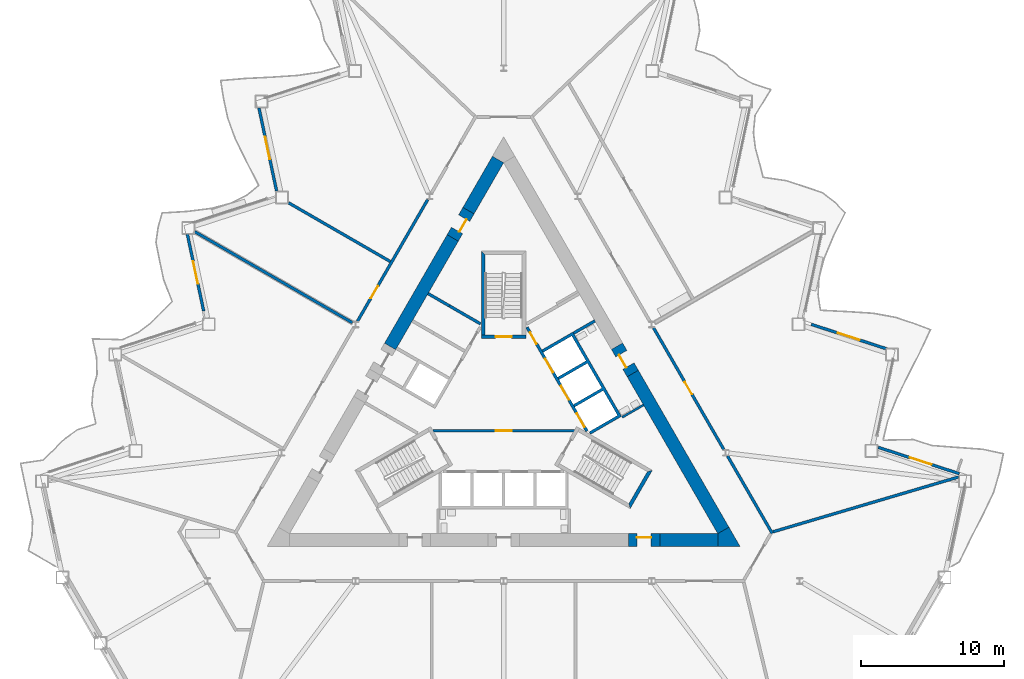
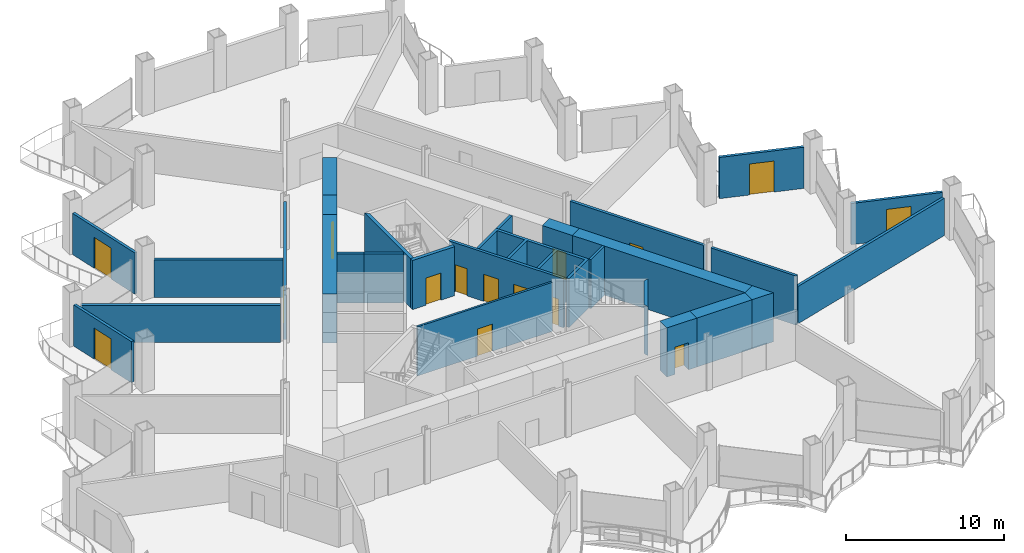
# One storey, part 12 of 21: 28 walls, 15 doors, 15 openings.
"""IFC4 building model written with IfcOpenShell, lengths in metres."""

from ifc_helpers import new_model, si_unit, direction, frame, frame_2d, origin, place, context, subcontext, project, spatial, polyline, rectangle, outline, extrude, material, layer, layer_set, type_object, element, fill, save


model = new_model("IFC4")

# Units and contexts
model_context = context("Model", 3, precision=1e-05, world=origin(), true_north=direction((0.0, 1.0)))
body_context = subcontext(model_context, "Body", "Model", "MODEL_VIEW")
ifc_project = project(units=[si_unit("LENGTHUNIT", "METRE"), si_unit("AREAUNIT", "SQUARE_METRE"), si_unit("VOLUMEUNIT", "CUBIC_METRE"), si_unit("PLANEANGLEUNIT", "RADIAN"), si_unit("MASSUNIT", "GRAM", prefix="KILO")], contexts=[model_context])

# Site, building, storey
site_placement = place(None, origin())
site = spatial("IfcSite", under=ifc_project, at=site_placement, CompositionType="ELEMENT")
building_placement = place(site_placement, origin())
building = spatial("IfcBuilding", under=site, at=building_placement, Name="Cormorant Prow Tower", CompositionType="ELEMENT")
storey_placement = place(building_placement, frame((0.0, 0.0, 112.199951171875)))
storey = spatial("IfcBuildingStorey", under=building, at=storey_placement, Name="L23", CompositionType="ELEMENT", Elevation=112.199951171875)

# Wall, opening, door
ifc_material_1 = material(Name="Gypsum board partition")
ifc_layer_1 = layer(ifc_material_1, 0.14990234375)
ifc_layer_set_1 = layer_set([ifc_layer_1], Name="Gypsum board partition")
wall_type_1 = type_object("IfcWallType", Name="Core partition 150", PredefinedType="PARTITIONING", material=ifc_layer_set_1)
wall_1_placement = place(storey_placement, frame((-4.941162109375, -1.449951171875, 0.0), z_axis=(0.0, 0.0, 1.0), x_axis=(1.0, 0.0, 0.0)))
wall_1 = element("IfcWall", 1, at=wall_1_placement, inside=storey, type_object=wall_type_1, Name="Firefighting lobby partition", PredefinedType="PARTITIONING", context=body_context, shape_type="SweptSolid", body=[
    extrude(rectangle(XDim=9.88232421875, YDim=0.14990234375, at=frame_2d((4.941162109375, 0.0))), origin(), (0.0, 0.0, 1.0), 3.800048828125),
])
opening_1_placement = place(wall_1_placement, frame((4.39111328125, 0.0, 0.0)))
opening_1 = element("IfcOpeningElement", 2, at=opening_1_placement, cuts=wall_1, Name="Opening L23-C11", PredefinedType="OPENING", context=body_context, shape_type="SweptSolid", body=[
    extrude(rectangle(XDim=1.10009765625, YDim=2.10009765625, at=frame_2d((0.550048828125, 1.050048828125))), frame((0.0, 0.0849609375, 0.0), z_axis=(0.0, -1.0, 0.0), x_axis=(1.0, 0.0, 0.0)), (0.0, 0.0, 1.0), 0.169921875),
])
ifc_material_2 = material(Name="Painted steel", Category="steel")
door_type_1 = type_object("IfcDoorType", Name="Firefighting lobby door 1100x2100", OperationType="NOTDEFINED", PredefinedType="DOOR", material=ifc_material_2)
door_1_placement = place(opening_1_placement, origin())
door_1 = element("IfcDoor", 3, at=door_1_placement, inside=storey, type_object=door_type_1, Name="Firefighting lobby door", OperationType="SINGLE_SWING_LEFT", OverallHeight=2.10009765625, OverallWidth=1.10009765625, PredefinedType="DOOR", context=body_context, shape_type="SweptSolid", body=[
    extrude(rectangle(XDim=1.10009765625, YDim=2.10009765625, at=frame_2d((0.550048828125, 1.050048828125))), frame((0.0, 0.02490234375, 0.0), z_axis=(0.0, -1.0, 0.0), x_axis=(1.0, 0.0, 0.0)), (0.0, 0.0, 1.0), 0.050048828125),
])
fill(opening_1, door_1)

# Walls
wall_2_placement = place(storey_placement, frame((8.268310546875, -0.509033203125, 0.0), z_axis=(0.0, 0.0, 1.0), x_axis=(0.866024871741, 0.500000921525, 0.0)))
element("IfcWall", 4, at=wall_2_placement, inside=storey, type_object=wall_type_1, Name="Service room partition", PredefinedType="PARTITIONING", context=body_context, shape_type="SweptSolid", body=[
    extrude(rectangle(XDim=1.72021484375, YDim=0.14990234375, at=frame_2d((0.860107421875, 0.0))), origin(), (0.0, 0.0, 1.0), 3.800048828125),
])
ifc_material_3 = material(Name="Concrete 8000 psi", Category="concrete")
ifc_layer_2 = layer(ifc_material_3, 0.89990234375)
ifc_layer_set_2 = layer_set([ifc_layer_2], Name="Concrete 8000 psi")
wall_type_2 = type_object("IfcWallType", Name="Core shear wall 900", PredefinedType="SHEAR", material=ifc_layer_set_2)
wall_3_placement = place(storey_placement, frame((10.8955078125, -9.076416015625, 0.0), z_axis=(0.0, 0.0, 1.0), x_axis=(1.0, 0.0, 0.0)))
element("IfcWall", 5, at=wall_3_placement, inside=storey, type_object=wall_type_2, Name="Core wall", PredefinedType="SHEAR", context=body_context, shape_type="SweptSolid", body=[
    extrude(rectangle(XDim=4.045654296875, YDim=0.89990234375, at=frame_2d((2.02294921875, 0.0))), origin(), (0.0, 0.0, 1.0), 3.800048828125),
])
wall_4_placement = place(storey_placement, frame((15.330810546875, -8.4013671875, 0.0), z_axis=(0.0, 0.0, 1.0), x_axis=(-0.49999216708, 0.866029926076, 0.0)))
element("IfcWall", 6, at=wall_4_placement, inside=storey, type_object=wall_type_2, Name="Core wall", PredefinedType="SHEAR", context=body_context, shape_type="SweptSolid", body=[
    extrude(rectangle(XDim=12.641357421875, YDim=0.89990234375, at=frame_2d((6.32080078125, 0.0))), origin(), (0.0, 0.0, 1.0), 3.800048828125),
])
wall_5_placement = place(storey_placement, frame((-3.550048828125, 12.00390625, 0.0), z_axis=(0.0, 0.0, 1.0), x_axis=(-0.499993245289, -0.866029303583, 0.0)))
element("IfcWall", 7, at=wall_5_placement, inside=storey, type_object=wall_type_2, Name="Core wall", PredefinedType="SHEAR", context=body_context, shape_type="SweptSolid", body=[
    extrude(rectangle(XDim=8.74072265625, YDim=0.89990234375, at=frame_2d((4.370361328125, 0.0))), origin(), (0.0, 0.0, 1.0), 3.800048828125),
])
wall_6_placement = place(storey_placement, frame((-0.3896484375, 17.4775390625, 0.0), z_axis=(0.0, 0.0, 1.0), x_axis=(-0.50001992892, -0.866013897511, 0.0)))
element("IfcWall", 8, at=wall_6_placement, inside=storey, type_object=wall_type_2, Name="Core wall", PredefinedType="SHEAR", context=body_context, shape_type="SweptSolid", body=[
    extrude(rectangle(XDim=4.120361328125, YDim=0.89990234375, at=frame_2d((2.06005859375, 0.0))), origin(), (0.0, 0.0, 1.0), 3.800048828125),
])
wall_7_placement = place(storey_placement, origin())
element("IfcWall", 9, at=wall_7_placement, inside=storey, type_object=wall_type_2, Name="Core wall corner", PredefinedType="SHEAR", context=body_context, shape_type="SweptSolid", body=[
    extrude(outline(polyline([(14.941162109375, -8.626220703125), (15.720703125, -8.17626953125), (16.5, -9.5263671875), (14.941162109375, -9.5263671875), (14.941162109375, -8.626220703125)])), origin(), (0.0, 0.0, 1.0), 3.800048828125),
])

# Wall, opening, door
wall_8_placement = place(storey_placement, frame((8.695556640625, -9.076416015625, 0.0), z_axis=(0.0, 0.0, 1.0), x_axis=(1.0, 0.0, 0.0)))
wall_8 = element("IfcWall", 10, at=wall_8_placement, inside=storey, type_object=wall_type_2, Name="Core wall door panel", PredefinedType="SHEAR", context=body_context, shape_type="SweptSolid", body=[
    extrude(rectangle(XDim=2.199951171875, YDim=0.89990234375, at=frame_2d((1.10009765625, 0.0))), origin(), (0.0, 0.0, 1.0), 3.800048828125),
])
opening_2_placement = place(wall_8_placement, frame((0.60009765625, 0.0, 0.0)))
opening_2 = element("IfcOpeningElement", 11, at=opening_2_placement, cuts=wall_8, Name="Opening L23-C16", PredefinedType="OPENING", context=body_context, shape_type="SweptSolid", body=[
    extrude(rectangle(XDim=1.0, YDim=2.10009765625, at=frame_2d((0.5, 1.050048828125))), frame((0.0, 0.4599609375, 0.0), z_axis=(0.0, -1.0, 0.0), x_axis=(1.0, 0.0, 0.0)), (0.0, 0.0, 1.0), 0.919921875),
])
ifc_material_4 = material(Name="Painted steel", Category="steel")
door_type_2 = type_object("IfcDoorType", Name="Service door 1000x2100", OperationType="NOTDEFINED", PredefinedType="DOOR", material=ifc_material_4)
door_2_placement = place(opening_2_placement, origin())
door_2 = element("IfcDoor", 12, at=door_2_placement, inside=storey, type_object=door_type_2, Name="Core door, Telecom room", OperationType="SINGLE_SWING_RIGHT", OverallHeight=2.10009765625, OverallWidth=1.0, PredefinedType="DOOR", context=body_context, shape_type="SweptSolid", body=[
    extrude(rectangle(XDim=1.0, YDim=2.10009765625, at=frame_2d((0.5, 1.050048828125))), frame((0.0, 0.205078125, 0.0), z_axis=(0.0, -1.0, 0.0), x_axis=(1.0, 0.0, 0.0)), (0.0, 0.0, 1.0), 0.050048828125),
])
fill(opening_2, door_2)

wall_9_placement = place(storey_placement, frame((9.01025390625, 2.54638671875, 0.0), z_axis=(0.0, 0.0, 1.0), x_axis=(-0.499994660107, 0.866028486751, 0.0)))
wall_9 = element("IfcWall", 13, at=wall_9_placement, inside=storey, type_object=wall_type_2, Name="Core wall door panel", PredefinedType="SHEAR", context=body_context, shape_type="SweptSolid", body=[
    extrude(rectangle(XDim=2.19970703125, YDim=0.89990234375, at=frame_2d((1.099853515625, 0.0))), origin(), (0.0, 0.0, 1.0), 3.800048828125),
])
opening_3_placement = place(wall_9_placement, frame((0.60009765625, 0.0, 0.0)))
opening_3 = element("IfcOpeningElement", 14, at=opening_3_placement, cuts=wall_9, Name="Opening L23-C18", PredefinedType="OPENING", context=body_context, shape_type="SweptSolid", body=[
    extrude(rectangle(XDim=1.0, YDim=2.10009765625, at=frame_2d((0.5, 1.050048828125))), frame((0.0, 0.4599609375, 0.0), z_axis=(0.0, -1.0, 0.0), x_axis=(1.0, 0.0, 0.0)), (0.0, 0.0, 1.0), 0.919921875),
])
door_3_placement = place(opening_3_placement, origin())
door_3 = element("IfcDoor", 15, at=door_3_placement, inside=storey, type_object=door_type_2, Name="Core door, Toilets (men) L23", OperationType="SINGLE_SWING_LEFT", OverallHeight=2.10009765625, OverallWidth=1.0, PredefinedType="DOOR", context=body_context, shape_type="SweptSolid", body=[
    extrude(rectangle(XDim=1.0, YDim=2.10009765625, at=frame_2d((0.5, 1.050048828125))), frame((0.0, 0.205078125, 0.0), z_axis=(0.0, -1.0, 0.0), x_axis=(1.0, 0.0, 0.0)), (0.0, 0.0, 1.0), 0.050048828125),
])
fill(opening_3, door_3)

wall_10_placement = place(storey_placement, frame((-2.449951171875, 13.9091796875, 0.0), z_axis=(0.0, 0.0, 1.0), x_axis=(-0.50002983664, -0.866008176907, 0.0)))
wall_10 = element("IfcWall", 16, at=wall_10_placement, inside=storey, type_object=wall_type_2, Name="Core wall door panel", PredefinedType="SHEAR", context=body_context, shape_type="SweptSolid", body=[
    extrude(rectangle(XDim=2.199951171875, YDim=0.89990234375, at=frame_2d((1.10009765625, 0.0))), origin(), (0.0, 0.0, 1.0), 3.800048828125),
])
opening_4_placement = place(wall_10_placement, frame((0.60009765625, 0.0, 0.0)))
opening_4 = element("IfcOpeningElement", 17, at=opening_4_placement, cuts=wall_10, Name="Opening L23-C20", PredefinedType="OPENING", context=body_context, shape_type="SweptSolid", body=[
    extrude(rectangle(XDim=1.0, YDim=2.10009765625, at=frame_2d((0.5, 1.050048828125))), frame((0.0, 0.4599609375, 0.0), z_axis=(0.0, -1.0, 0.0), x_axis=(1.0, 0.0, 0.0)), (0.0, 0.0, 1.0), 0.919921875),
])
door_4_placement = place(opening_4_placement, origin())
door_4 = element("IfcDoor", 18, at=door_4_placement, inside=storey, type_object=door_type_2, Name="Core door, Telecom room", OperationType="SINGLE_SWING_RIGHT", OverallHeight=2.10009765625, OverallWidth=1.0, PredefinedType="DOOR", context=body_context, shape_type="SweptSolid", body=[
    extrude(rectangle(XDim=1.0, YDim=2.10009765625, at=frame_2d((0.5, 1.050048828125))), frame((0.0, 0.205078125, 0.0), z_axis=(0.0, -1.0, 0.0), x_axis=(1.0, 0.0, 0.0)), (0.0, 0.0, 1.0), 0.050048828125),
])
fill(opening_4, door_4)

ifc_material_5 = material(Name="Gypsum board corridor wall")
ifc_layer_3 = layer(ifc_material_5, 0.199951171875)
ifc_layer_set_3 = layer_set([ifc_layer_3], Name="Gypsum board corridor wall")
wall_type_3 = type_object("IfcWallType", Name="Corridor wall 200", PredefinedType="PARTITIONING", material=ifc_layer_set_3)
wall_11_placement = place(storey_placement, frame((10.459716796875, 5.735595703125, 0.0), z_axis=(0.0, 0.0, 1.0), x_axis=(0.500004141693, -0.866023012564, 0.0)))
wall_11 = element("IfcWall", 19, at=wall_11_placement, inside=storey, type_object=wall_type_3, Name="Corridor wall", PredefinedType="PARTITIONING", context=body_context, shape_type="SweptSolid", body=[
    extrude(rectangle(XDim=9.80322265625, YDim=0.199951171875, at=frame_2d((4.901611328125, 0.0))), origin(), (0.0, 0.0, 1.0), 3.800048828125),
])
opening_5_placement = place(wall_11_placement, frame((4.3515625, 0.0, 0.0)))
opening_5 = element("IfcOpeningElement", 20, at=opening_5_placement, cuts=wall_11, Name="Opening L23-F05", PredefinedType="OPENING", context=body_context, shape_type="SweptSolid", body=[
    extrude(rectangle(XDim=1.0, YDim=2.10009765625, at=frame_2d((0.5, 1.050048828125))), frame((0.0, 0.10986328125, 0.0), z_axis=(0.0, -1.0, 0.0), x_axis=(1.0, 0.0, 0.0)), (0.0, 0.0, 1.0), 0.219970703125),
])
ifc_material_6 = material(Name="Timber door leaf", Category="wood")
door_type_3 = type_object("IfcDoorType", Name="Office door 1000x2100", OperationType="NOTDEFINED", PredefinedType="DOOR", material=ifc_material_6)
door_5_placement = place(opening_5_placement, origin())
door_5 = element("IfcDoor", 21, at=door_5_placement, inside=storey, type_object=door_type_3, Name="Tenant suite door", OperationType="SINGLE_SWING_LEFT", OverallHeight=2.10009765625, OverallWidth=1.0, PredefinedType="DOOR", context=body_context, shape_type="SweptSolid", body=[
    extrude(rectangle(XDim=1.0, YDim=2.10009765625, at=frame_2d((0.5, 1.050048828125))), frame((0.0, 0.02490234375, 0.0), z_axis=(0.0, -1.0, 0.0), x_axis=(1.0, 0.0, 0.0)), (0.0, 0.0, 1.0), 0.050048828125),
])
fill(opening_5, door_5)

wall_12_placement = place(storey_placement, frame((-10.197265625, 6.1904296875, 0.0), z_axis=(0.0, 0.0, 1.0), x_axis=(0.500012035596, 0.866018454918, 0.0)))
wall_12 = element("IfcWall", 22, at=wall_12_placement, inside=storey, type_object=wall_type_3, Name="Corridor wall", PredefinedType="PARTITIONING", context=body_context, shape_type="SweptSolid", body=[
    extrude(rectangle(XDim=9.803466796875, YDim=0.199951171875, at=frame_2d((4.90185546875, 0.0))), origin(), (0.0, 0.0, 1.0), 3.800048828125),
])
opening_6_placement = place(wall_12_placement, frame((1.8505859375, 0.0, 0.0)))
opening_6 = element("IfcOpeningElement", 23, at=opening_6_placement, cuts=wall_12, Name="Opening L23-F10", PredefinedType="OPENING", context=body_context, shape_type="SweptSolid", body=[
    extrude(rectangle(XDim=1.0, YDim=2.10009765625, at=frame_2d((0.5, 1.050048828125))), frame((0.0, 0.10986328125, 0.0), z_axis=(0.0, -1.0, 0.0), x_axis=(1.0, 0.0, 0.0)), (0.0, 0.0, 1.0), 0.219970703125),
])
door_6_placement = place(opening_6_placement, origin())
door_6 = element("IfcDoor", 24, at=door_6_placement, inside=storey, type_object=door_type_3, Name="Meeting room door", OperationType="SINGLE_SWING_RIGHT", OverallHeight=2.10009765625, OverallWidth=1.0, PredefinedType="DOOR", context=body_context, shape_type="SweptSolid", body=[
    extrude(rectangle(XDim=1.0, YDim=2.10009765625, at=frame_2d((0.5, 1.050048828125))), frame((0.0, 0.02490234375, 0.0), z_axis=(0.0, -1.0, 0.0), x_axis=(1.0, 0.0, 0.0)), (0.0, 0.0, 1.0), 0.050048828125),
])
fill(opening_6, door_6)

# Walls
wall_13_placement = place(storey_placement, frame((15.6240234375, -3.208984375, 0.0), z_axis=(0.0, 0.0, 1.0), x_axis=(0.499997920671, -0.866026604282, 0.0)))
element("IfcWall", 25, at=wall_13_placement, inside=storey, type_object=wall_type_3, Name="Corridor wall", PredefinedType="PARTITIONING", context=body_context, shape_type="SweptSolid", body=[
    extrude(rectangle(XDim=6.23974609375, YDim=0.199951171875, at=frame_2d((3.119873046875, 0.0))), origin(), (0.0, 0.0, 1.0), 3.800048828125),
])
ifc_material_7 = material(Name="Gypsum board demising wall")
ifc_layer_4 = layer(ifc_material_7, 0.199951171875)
ifc_layer_set_4 = layer_set([ifc_layer_4], Name="Gypsum board demising wall")
wall_type_4 = type_object("IfcWallType", Name="Demising wall 200", PredefinedType="PARTITIONING", material=ifc_layer_set_4)
wall_14_placement = place(storey_placement, frame((18.789794921875, -8.497802734375, 0.0), z_axis=(0.0, 0.0, 1.0), x_axis=(0.959053889024, 0.283223653581, 0.0)))
element("IfcWall", 26, at=wall_14_placement, inside=storey, type_object=wall_type_4, Name="Demising wall", PredefinedType="PARTITIONING", context=body_context, shape_type="SweptSolid", body=[
    extrude(rectangle(XDim=13.4990234375, YDim=0.199951171875, at=frame_2d((6.74951171875, 0.0))), origin(), (0.0, 0.0, 1.0), 2.88525390625),
])
wall_15_placement = place(storey_placement, frame((-21.536376953125, 12.43408203125, 0.0), z_axis=(0.0, 0.0, 1.0), x_axis=(0.86602461759, -0.500001361726, 0.0)))
element("IfcWall", 27, at=wall_15_placement, inside=storey, type_object=wall_type_4, Name="Demising wall", PredefinedType="PARTITIONING", context=body_context, shape_type="SweptSolid", body=[
    extrude(rectangle(XDim=12.67919921875, YDim=0.199951171875, at=frame_2d((6.339599609375, 0.0))), origin(), (0.0, 0.0, 1.0), 2.88525390625),
])
wall_16_placement = place(storey_placement, frame((-15.009521484375, 14.460205078125, 0.0), z_axis=(0.0, 0.0, 1.0), x_axis=(0.86602003489, -0.500009299083, 0.0)))
element("IfcWall", 28, at=wall_16_placement, inside=storey, type_object=wall_type_4, Name="Demising wall", PredefinedType="PARTITIONING", context=body_context, shape_type="SweptSolid", body=[
    extrude(rectangle(XDim=8.202392578125, YDim=0.199951171875, at=frame_2d((4.10107421875, 0.0))), origin(), (0.0, 0.0, 1.0), 2.88525390625),
])

# Wall, openings, doors
ifc_material_8 = material(Name="Concrete 5000 psi", Category="concrete")
ifc_layer_5 = layer(ifc_material_8, 0.199951171875)
ifc_layer_set_5 = layer_set([ifc_layer_5], Name="Concrete 5000 psi")
wall_type_5 = type_object("IfcWallType", Name="Lift lobby wall 200", PredefinedType="SOLIDWALL", material=ifc_layer_set_5)
wall_17_placement = place(storey_placement, frame((5.817138671875, -1.4755859375, 0.0), z_axis=(0.0, 0.0, 1.0), x_axis=(-0.500002616675, 0.866023893041, 0.0)))
wall_17 = element("IfcWall", 29, at=wall_17_placement, inside=storey, type_object=wall_type_5, Name="Lift lobby wall, ENE block", PredefinedType="SOLIDWALL", context=body_context, shape_type="SweptSolid", body=[
    extrude(rectangle(XDim=8.373046875, YDim=0.199951171875, at=frame_2d((4.1865234375, 0.0))), origin(), (0.0, 0.0, 1.0), 3.800048828125),
])
opening_7_placement = place(wall_17_placement, frame((0.336669921875, 0.0, 0.0)))
opening_7 = element("IfcOpeningElement", 30, at=opening_7_placement, cuts=wall_17, Name="Opening L23-C05", PredefinedType="OPENING", context=body_context, shape_type="SweptSolid", body=[
    extrude(rectangle(XDim=1.10009765625, YDim=2.10009765625, at=frame_2d((0.550048828125, 1.050048828125))), frame((0.0, 0.10986328125, 0.0), z_axis=(0.0, -1.0, 0.0), x_axis=(1.0, 0.0, 0.0)), (0.0, 0.0, 1.0), 0.219970703125),
])
opening_8_placement = place(wall_17_placement, frame((2.53662109375, 0.0, 0.0)))
opening_8 = element("IfcOpeningElement", 31, at=opening_8_placement, cuts=wall_17, Name="Opening L23-C06", PredefinedType="OPENING", context=body_context, shape_type="SweptSolid", body=[
    extrude(rectangle(XDim=1.10009765625, YDim=2.10009765625, at=frame_2d((0.550048828125, 1.050048828125))), frame((0.0, 0.10986328125, 0.0), z_axis=(0.0, -1.0, 0.0), x_axis=(1.0, 0.0, 0.0)), (0.0, 0.0, 1.0), 0.219970703125),
])
opening_9_placement = place(wall_17_placement, frame((4.736572265625, 0.0, 0.0)))
opening_9 = element("IfcOpeningElement", 32, at=opening_9_placement, cuts=wall_17, Name="Opening L23-C07", PredefinedType="OPENING", context=body_context, shape_type="SweptSolid", body=[
    extrude(rectangle(XDim=1.10009765625, YDim=2.10009765625, at=frame_2d((0.550048828125, 1.050048828125))), frame((0.0, 0.10986328125, 0.0), z_axis=(0.0, -1.0, 0.0), x_axis=(1.0, 0.0, 0.0)), (0.0, 0.0, 1.0), 0.219970703125),
])
opening_10_placement = place(wall_17_placement, frame((7.03662109375, 0.0, 0.0)))
opening_10 = element("IfcOpeningElement", 33, at=opening_10_placement, cuts=wall_17, Name="Opening L23-C08", PredefinedType="OPENING", context=body_context, shape_type="SweptSolid", body=[
    extrude(rectangle(XDim=0.89990234375, YDim=2.10009765625, at=frame_2d((0.449951171875, 1.050048828125))), frame((0.0, 0.10986328125, 0.0), z_axis=(0.0, -1.0, 0.0), x_axis=(1.0, 0.0, 0.0)), (0.0, 0.0, 1.0), 0.219970703125),
])
ifc_material_9 = material(Name="Painted steel", Category="steel")
door_type_4 = type_object("IfcDoorType", Name="Lift landing door 1100x2100", OperationType="SLIDING_TO_LEFT", PredefinedType="DOOR", material=ifc_material_9)
door_7_placement = place(opening_7_placement, origin())
door_7 = element("IfcDoor", 34, at=door_7_placement, inside=storey, type_object=door_type_4, Name="Landing door LR2", OperationType="SLIDING_TO_LEFT", OverallHeight=2.10009765625, OverallWidth=1.10009765625, PredefinedType="DOOR", context=body_context, shape_type="SweptSolid", body=[
    extrude(rectangle(XDim=1.10009765625, YDim=2.10009765625, at=frame_2d((0.550048828125, 1.050048828125))), frame((0.0, 0.02490234375, 0.0), z_axis=(0.0, -1.0, 0.0), x_axis=(1.0, 0.0, 0.0)), (0.0, 0.0, 1.0), 0.050048828125),
])
fill(opening_7, door_7)
door_8_placement = place(opening_8_placement, origin())
door_8 = element("IfcDoor", 35, at=door_8_placement, inside=storey, type_object=door_type_4, Name="Landing door LR3", OperationType="SLIDING_TO_LEFT", OverallHeight=2.10009765625, OverallWidth=1.10009765625, PredefinedType="DOOR", context=body_context, shape_type="SweptSolid", body=[
    extrude(rectangle(XDim=1.10009765625, YDim=2.10009765625, at=frame_2d((0.550048828125, 1.050048828125))), frame((0.0, 0.02490234375, 0.0), z_axis=(0.0, -1.0, 0.0), x_axis=(1.0, 0.0, 0.0)), (0.0, 0.0, 1.0), 0.050048828125),
])
fill(opening_8, door_8)
door_9_placement = place(opening_9_placement, origin())
door_9 = element("IfcDoor", 36, at=door_9_placement, inside=storey, type_object=door_type_4, Name="Landing door LR4", OperationType="SLIDING_TO_LEFT", OverallHeight=2.10009765625, OverallWidth=1.10009765625, PredefinedType="DOOR", context=body_context, shape_type="SweptSolid", body=[
    extrude(rectangle(XDim=1.10009765625, YDim=2.10009765625, at=frame_2d((0.550048828125, 1.050048828125))), frame((0.0, 0.02490234375, 0.0), z_axis=(0.0, -1.0, 0.0), x_axis=(1.0, 0.0, 0.0)), (0.0, 0.0, 1.0), 0.050048828125),
])
fill(opening_9, door_9)
ifc_material_10 = material(Name="Painted steel", Category="steel")
door_type_5 = type_object("IfcDoorType", Name="Service door 900x2100", OperationType="NOTDEFINED", PredefinedType="DOOR", material=ifc_material_10)
door_10_placement = place(opening_10_placement, origin())
door_10 = element("IfcDoor", 37, at=door_10_placement, inside=storey, type_object=door_type_5, Name="Service door, Refuse store", OperationType="SINGLE_SWING_RIGHT", OverallHeight=2.10009765625, OverallWidth=0.89990234375, PredefinedType="DOOR", context=body_context, shape_type="SweptSolid", body=[
    extrude(rectangle(XDim=0.89990234375, YDim=2.10009765625, at=frame_2d((0.449951171875, 1.050048828125))), frame((0.0, 0.02490234375, 0.0), z_axis=(0.0, -1.0, 0.0), x_axis=(1.0, 0.0, 0.0)), (0.0, 0.0, 1.0), 0.050048828125),
])
fill(opening_10, door_10)

# Walls
ifc_material_11 = material(Name="Concrete 8000 psi", Category="concrete")
ifc_layer_6 = layer(ifc_material_11, 0.199951171875)
ifc_layer_set_6 = layer_set([ifc_layer_6], Name="Concrete 8000 psi")
wall_type_6 = type_object("IfcWallType", Name="Lift shaft wall 200", PredefinedType="SHEAR", material=ifc_layer_set_6)
wall_18_placement = place(storey_placement, origin())
element("IfcWall", 38, at=wall_18_placement, inside=storey, type_object=wall_type_6, Name="Lift shaft walls, ENE block", PredefinedType="SHEAR", context=body_context, shape_type="SweptSolid", body=[
    extrude(outline(polyline([(2.660400390625, 4.19189453125), (4.830810546875, 5.44482421875), (8.230712890625, -0.444091796875), (6.060546875, -1.697021484375), (5.96044921875, -1.52392578125), (7.952392578125, -0.373779296875), (6.952392578125, 1.358154296875), (4.96044921875, 0.2080078125), (4.860595703125, 0.38134765625), (6.852294921875, 1.53125), (5.852294921875, 3.263427734375), (3.860595703125, 2.11328125), (3.760498046875, 2.28662109375), (5.75244140625, 3.4365234375), (4.75244140625, 5.168701171875), (2.760498046875, 4.018798828125), (2.660400390625, 4.19189453125)])), origin(), (0.0, 0.0, 1.0), 3.800048828125),
])
wall_19_placement = place(storey_placement, frame((4.880859375, 5.3583984375, 0.0), z_axis=(0.0, 0.0, 1.0), x_axis=(0.866024871741, 0.500000921525, 0.0)))
element("IfcWall", 39, at=wall_19_placement, inside=storey, type_object=wall_type_6, Name="Store side wall", PredefinedType="SHEAR", context=body_context, shape_type="SweptSolid", body=[
    extrude(rectangle(XDim=1.72021484375, YDim=0.199951171875, at=frame_2d((0.860107421875, 0.0))), origin(), (0.0, 0.0, 1.0), 3.800048828125),
])
wall_20_placement = place(storey_placement, origin())
element("IfcWall", 40, at=wall_20_placement, inside=storey, type_object=wall_type_6, Name="Lift shaft walls, WNW block", PredefinedType="SHEAR", context=body_context, shape_type="SweptSolid", body=[
    extrude(outline(polyline([(-3.730712890625, 7.35009765625), (-1.560546875, 6.09716796875), (-1.660400390625, 5.923828125), (-3.830810546875, 7.177001953125), (-3.730712890625, 7.35009765625)])), origin(), (0.0, 0.0, 1.0), 3.800048828125),
])
wall_21_placement = place(storey_placement, frame((-3.78076171875, 7.263427734375, 0.0), z_axis=(0.0, 0.0, 1.0), x_axis=(-0.865963414263, 0.500107353632, 0.0)))
element("IfcWall", 41, at=wall_21_placement, inside=storey, type_object=wall_type_6, Name="Store side wall", PredefinedType="SHEAR", context=body_context, shape_type="SweptSolid", body=[
    extrude(rectangle(XDim=1.72021484375, YDim=0.199951171875, at=frame_2d((0.860107421875, 0.0))), origin(), (0.0, 0.0, 1.0), 3.800048828125),
])
ifc_material_12 = material(Name="Concrete 8000 psi", Category="concrete")
ifc_layer_7 = layer(ifc_material_12, 0.25)
ifc_layer_set_7 = layer_set([ifc_layer_7], Name="Concrete 8000 psi")
wall_type_7 = type_object("IfcWallType", Name="Stair wall 250", PredefinedType="SHEAR", material=ifc_layer_set_7)
wall_22_placement = place(storey_placement, origin())
element("IfcWall", 42, at=wall_22_placement, inside=storey, type_object=wall_type_7, Name="Stair ST2 enclosure wall (end)", PredefinedType="SHEAR", context=body_context, shape_type="SweptSolid", body=[
    extrude(outline(polyline([(8.82958984375, -6.880615234375), (10.37353515625, -4.206298828125), (10.031982421875, -4.2978515625), (8.738037109375, -6.5390625), (8.82958984375, -6.880615234375)])), origin(), (0.0, 0.0, 1.0), 3.800048828125),
])
wall_23_placement = place(storey_placement, origin())
element("IfcWall", 43, at=wall_23_placement, inside=storey, type_object=wall_type_7, Name="Stair ST3 enclosure wall (flank)", PredefinedType="SHEAR", context=body_context, shape_type="SweptSolid", body=[
    extrude(outline(polyline([(-1.2939453125, 10.8369140625), (-1.5439453125, 11.0869140625), (-1.5439453125, 5.23681640625), (-1.2939453125, 5.23681640625), (-1.2939453125, 10.8369140625)])), origin(), (0.0, 0.0, 1.0), 3.800048828125),
])

# Wall, opening, door
wall_24_placement = place(storey_placement, frame((1.5439453125, 5.11181640625, 0.0), z_axis=(0.0, 0.0, 1.0), x_axis=(-1.0, 0.0, 0.0)))
wall_24 = element("IfcWall", 44, at=wall_24_placement, inside=storey, type_object=wall_type_7, Name="Stair ST3 door wall", PredefinedType="SHEAR", context=body_context, shape_type="SweptSolid", body=[
    extrude(rectangle(XDim=3.087890625, YDim=0.25, at=frame_2d((1.5439453125, 0.0))), origin(), (0.0, 0.0, 1.0), 3.800048828125),
])
opening_11_placement = place(wall_24_placement, frame((0.993896484375, 0.0, 0.0)))
opening_11 = element("IfcOpeningElement", 45, at=opening_11_placement, cuts=wall_24, Name="Opening L23-C14", PredefinedType="OPENING", context=body_context, shape_type="SweptSolid", body=[
    extrude(rectangle(XDim=1.10009765625, YDim=2.10009765625, at=frame_2d((0.550048828125, 1.050048828125))), frame((0.0, 0.135009765625, 0.0), z_axis=(0.0, -1.0, 0.0), x_axis=(1.0, 0.0, 0.0)), (0.0, 0.0, 1.0), 0.27001953125),
])
ifc_material_13 = material(Name="Painted steel", Category="steel")
door_type_6 = type_object("IfcDoorType", Name="Stair door 1100x2100", OperationType="NOTDEFINED", PredefinedType="DOOR", material=ifc_material_13)
door_11_placement = place(opening_11_placement, origin())
door_11 = element("IfcDoor", 46, at=door_11_placement, inside=storey, type_object=door_type_6, Name="Stair ST3 door", OperationType="SINGLE_SWING_RIGHT", OverallHeight=2.10009765625, OverallWidth=1.10009765625, PredefinedType="DOOR", context=body_context, shape_type="SweptSolid", body=[
    extrude(rectangle(XDim=1.10009765625, YDim=2.10009765625, at=frame_2d((0.550048828125, 1.050048828125))), frame((0.0, 0.02490234375, 0.0), z_axis=(0.0, -1.0, 0.0), x_axis=(1.0, 0.0, 0.0)), (0.0, 0.0, 1.0), 0.050048828125),
])
fill(opening_11, door_11)

ifc_material_14 = material(Name="Terracotta", Category="masonry")
ifc_layer_8 = layer(ifc_material_14, 0.199951171875)
ifc_layer_set_8 = layer_set([ifc_layer_8], Name="Terracotta")
wall_type_8 = type_object("IfcWallType", Name="Terracotta jamb wall 200", PredefinedType="SOLIDWALL", material=ifc_layer_set_8)
wall_25_placement = place(storey_placement, frame((31.79150390625, -4.441162109375, 0.0), z_axis=(0.0, 0.0, 1.0), x_axis=(-0.951057028782, 0.309015417099, 0.0)))
wall_25 = element("IfcWall", 47, at=wall_25_placement, inside=storey, type_object=wall_type_8, Name="Terracotta jamb wall ENE01", PredefinedType="SOLIDWALL", context=body_context, shape_type="SweptSolid", body=[
    extrude(rectangle(XDim=5.93798828125, YDim=0.199951171875, at=frame_2d((2.968994140625, 0.0))), origin(), (0.0, 0.0, 1.0), 3.18896484375),
])
opening_12_placement = place(wall_25_placement, frame((2.041748046875, 0.0, 0.0)))
opening_12 = element("IfcOpeningElement", 48, at=opening_12_placement, cuts=wall_25, Name="Opening ED23.06", PredefinedType="OPENING", context=body_context, shape_type="SweptSolid", body=[
    extrude(rectangle(XDim=1.60009765625, YDim=2.39990234375, at=frame_2d((0.800048828125, 1.199951171875))), frame((0.0, 0.10986328125, 0.0), z_axis=(0.0, -1.0, 0.0), x_axis=(1.0, 0.0, 0.0)), (0.0, 0.0, 1.0), 0.219970703125),
])
ifc_material_15 = material(Name="Aluminium 6063-T6", Category="aluminium")
door_type_7 = type_object("IfcDoorType", Name="Balcony door 1600x2400", OperationType="DOUBLE_DOOR_SINGLE_SWING", PredefinedType="DOOR", material=ifc_material_15)
door_12_placement = place(opening_12_placement, origin())
door_12 = element("IfcDoor", 49, at=door_12_placement, inside=storey, type_object=door_type_7, Name="Balcony door ENE01 ED23.06", OperationType="DOUBLE_DOOR_SINGLE_SWING", OverallHeight=2.39990234375, OverallWidth=1.60009765625, PredefinedType="DOOR", context=body_context, shape_type="SweptSolid", body=[
    extrude(rectangle(XDim=1.60009765625, YDim=2.39990234375, at=frame_2d((0.800048828125, 1.199951171875))), frame((0.0, 0.02490234375, 0.0), z_axis=(0.0, -1.0, 0.0), x_axis=(1.0, 0.0, 0.0)), (0.0, 0.0, 1.0), 0.050048828125),
])
fill(opening_12, door_12)

wall_26_placement = place(storey_placement, frame((26.677001953125, 4.28173828125, 0.0), z_axis=(0.0, 0.0, 1.0), x_axis=(-0.951052727247, 0.309028655624, 0.0)))
wall_26 = element("IfcWall", 50, at=wall_26_placement, inside=storey, type_object=wall_type_8, Name="Terracotta jamb wall ENE03", PredefinedType="SOLIDWALL", context=body_context, shape_type="SweptSolid", body=[
    extrude(rectangle(XDim=5.48046875, YDim=0.199951171875, at=frame_2d((2.740234375, 0.0))), origin(), (0.0, 0.0, 1.0), 3.18896484375),
])
opening_13_placement = place(wall_26_placement, frame((1.940185546875, 0.0, 0.0)))
opening_13 = element("IfcOpeningElement", 51, at=opening_13_placement, cuts=wall_26, Name="Opening ED23.07", PredefinedType="OPENING", context=body_context, shape_type="SweptSolid", body=[
    extrude(rectangle(XDim=1.60009765625, YDim=2.39990234375, at=frame_2d((0.800048828125, 1.199951171875))), frame((0.0, 0.10986328125, 0.0), z_axis=(0.0, -1.0, 0.0), x_axis=(1.0, 0.0, 0.0)), (0.0, 0.0, 1.0), 0.219970703125),
])
door_13_placement = place(opening_13_placement, origin())
door_13 = element("IfcDoor", 52, at=door_13_placement, inside=storey, type_object=door_type_7, Name="Balcony door ENE03 ED23.07", OperationType="DOUBLE_DOOR_SINGLE_SWING", OverallHeight=2.39990234375, OverallWidth=1.60009765625, PredefinedType="DOOR", context=body_context, shape_type="SweptSolid", body=[
    extrude(rectangle(XDim=1.60009765625, YDim=2.39990234375, at=frame_2d((0.800048828125, 1.199951171875))), frame((0.0, 0.02490234375, 0.0), z_axis=(0.0, -1.0, 0.0), x_axis=(1.0, 0.0, 0.0)), (0.0, 0.0, 1.0), 0.050048828125),
])
fill(opening_13, door_13)

wall_27_placement = place(storey_placement, frame((-17.06884765625, 21.06640625, 0.0), z_axis=(0.0, 0.0, 1.0), x_axis=(0.207917562075, -0.978146352741, 0.0)))
wall_27 = element("IfcWall", 53, at=wall_27_placement, inside=storey, type_object=wall_type_8, Name="Terracotta jamb wall WNW03", PredefinedType="SOLIDWALL", context=body_context, shape_type="SweptSolid", body=[
    extrude(rectangle(XDim=5.90869140625, YDim=0.199951171875, at=frame_2d((2.954345703125, 0.0))), origin(), (0.0, 0.0, 1.0), 3.18896484375),
])
opening_14_placement = place(wall_27_placement, frame((2.046875, 0.0, 0.0)))
opening_14 = element("IfcOpeningElement", 54, at=opening_14_placement, cuts=wall_27, Name="Opening ED23.12", PredefinedType="OPENING", context=body_context, shape_type="SweptSolid", body=[
    extrude(rectangle(XDim=1.60009765625, YDim=2.39990234375, at=frame_2d((0.800048828125, 1.199951171875))), frame((0.0, 0.10986328125, 0.0), z_axis=(0.0, -1.0, 0.0), x_axis=(1.0, 0.0, 0.0)), (0.0, 0.0, 1.0), 0.219970703125),
])
door_14_placement = place(opening_14_placement, origin())
door_14 = element("IfcDoor", 55, at=door_14_placement, inside=storey, type_object=door_type_7, Name="Balcony door WNW03 ED23.12", OperationType="DOUBLE_DOOR_SINGLE_SWING", OverallHeight=2.39990234375, OverallWidth=1.60009765625, PredefinedType="DOOR", context=body_context, shape_type="SweptSolid", body=[
    extrude(rectangle(XDim=1.60009765625, YDim=2.39990234375, at=frame_2d((0.800048828125, 1.199951171875))), frame((0.0, 0.02490234375, 0.0), z_axis=(0.0, -1.0, 0.0), x_axis=(1.0, 0.0, 0.0)), (0.0, 0.0, 1.0), 0.050048828125),
])
fill(opening_14, door_14)

wall_28_placement = place(storey_placement, frame((-22.064697265625, 12.2705078125, 0.0), z_axis=(0.0, 0.0, 1.0), x_axis=(0.207907239961, -0.978148546782, 0.0)))
wall_28 = element("IfcWall", 56, at=wall_28_placement, inside=storey, type_object=wall_type_8, Name="Terracotta jamb wall WNW05", PredefinedType="SOLIDWALL", context=body_context, shape_type="SweptSolid", body=[
    extrude(rectangle(XDim=5.48046875, YDim=0.199951171875, at=frame_2d((2.740234375, 0.0))), origin(), (0.0, 0.0, 1.0), 3.18896484375),
])
opening_15_placement = place(wall_28_placement, frame((1.940185546875, 0.0, 0.0)))
opening_15 = element("IfcOpeningElement", 57, at=opening_15_placement, cuts=wall_28, Name="Opening ED23.13", PredefinedType="OPENING", context=body_context, shape_type="SweptSolid", body=[
    extrude(rectangle(XDim=1.60009765625, YDim=2.39990234375, at=frame_2d((0.800048828125, 1.199951171875))), frame((0.0, 0.10986328125, 0.0), z_axis=(0.0, -1.0, 0.0), x_axis=(1.0, 0.0, 0.0)), (0.0, 0.0, 1.0), 0.219970703125),
])
door_15_placement = place(opening_15_placement, origin())
door_15 = element("IfcDoor", 58, at=door_15_placement, inside=storey, type_object=door_type_7, Name="Balcony door WNW05 ED23.13", OperationType="DOUBLE_DOOR_SINGLE_SWING", OverallHeight=2.39990234375, OverallWidth=1.60009765625, PredefinedType="DOOR", context=body_context, shape_type="SweptSolid", body=[
    extrude(rectangle(XDim=1.60009765625, YDim=2.39990234375, at=frame_2d((0.800048828125, 1.199951171875))), frame((0.0, 0.02490234375, 0.0), z_axis=(0.0, -1.0, 0.0), x_axis=(1.0, 0.0, 0.0)), (0.0, 0.0, 1.0), 0.050048828125),
])
fill(opening_15, door_15)

save(model, "model.ifc")
